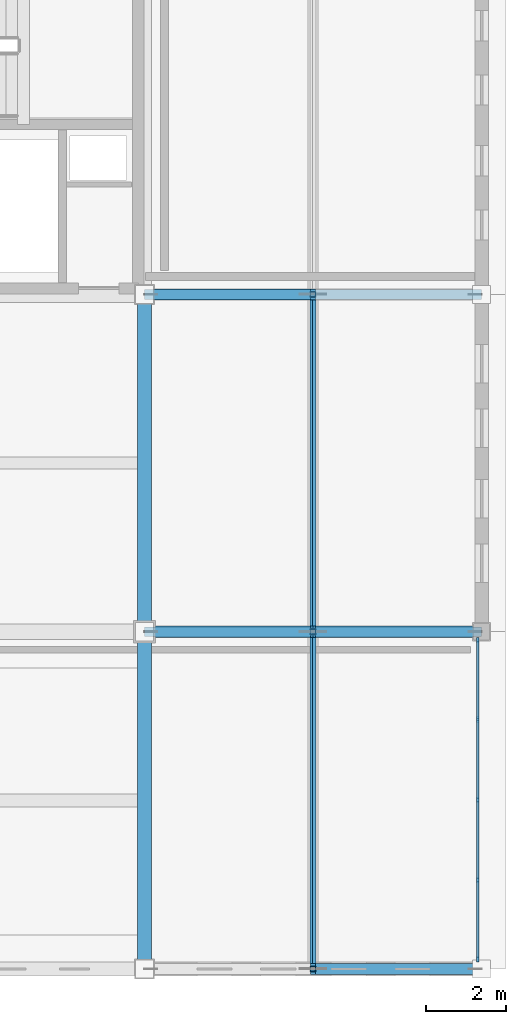
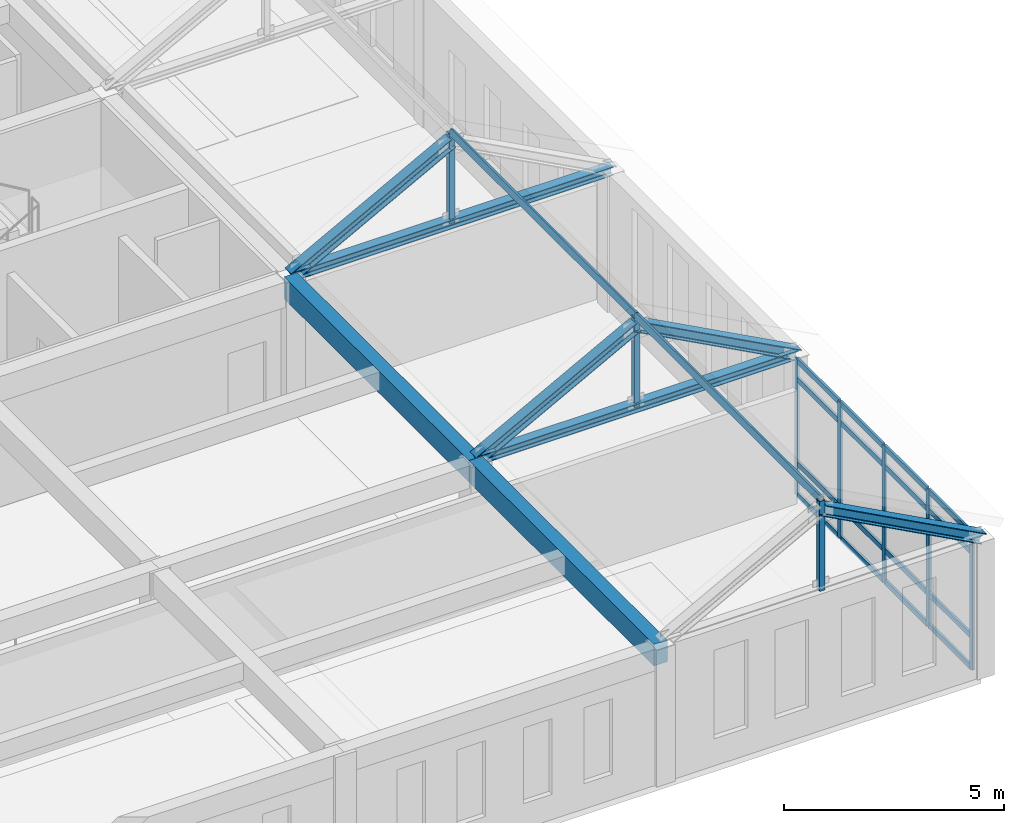
# One storey, part 6 of 36: 32 members, 2 beams, 1 element without a shape of its own.
"""IFC4 building model written with IfcOpenShell, lengths in metres."""

import ifcopenshell
import ifcopenshell.guid

model = None  # the IFC model being written
_history = None  # IfcOwnerHistory: only IFC2X3 demands one
_inside = {}  # id of a spatial element -> (the spatial element, [elements in it])
_under = {}  # id of a project, library or spatial element -> (it, [spatial elements below it])
_declared = {}  # id of a project -> (the project, [libraries it declares])
_typed = {}  # id of a type object -> (the type object, [elements of that type])
_made_of = {}  # id of a material, layer set ... -> (it, [elements and type objects made of it])


def new_model(schema):
    """Start an empty IFC model of exactly this schema.

    Asked for "IFC4X3", IfcOpenShell would pick the latest addendum, in which some entities
    have other attributes; the version numbers below select the first issue.
    IFC2X3 requires an IfcOwnerHistory on every rooted entity: one is made here for all.
    """
    global model, _history
    if schema == "IFC4X3":
        model = ifcopenshell.file(schema_version=(4, 3, 0, 0))
    else:
        model = ifcopenshell.file(schema=schema)
    _inside.clear()
    _under.clear()
    _declared.clear()
    _typed.clear()
    _made_of.clear()
    _history = None
    if model.schema == "IFC2X3":
        org = make("IfcOrganization", Name="unknown")
        user = make(
            "IfcPersonAndOrganization",
            ThePerson=make("IfcPerson", FamilyName="unknown"),
            TheOrganization=org,
        )
        app = make(
            "IfcApplication",
            ApplicationDeveloper=org,
            Version="unknown",
            ApplicationFullName="unknown",
            ApplicationIdentifier="unknown",
        )
        _history = make(
            "IfcOwnerHistory",
            OwningUser=user,
            OwningApplication=app,
            ChangeAction="ADDED",
            CreationDate=0,
        )
    return model


def make(cls, **values):
    """One entity of the class cls with the attributes given. An attribute that is None is left unset."""
    return model.create_entity(
        cls, **{name: value for name, value in values.items() if value is not None}
    )


def rooted(cls, **values):
    """An entity with a GlobalId (a new one), such as an element, a storey or a relation."""
    return make(cls, GlobalId=ifcopenshell.guid.new(), OwnerHistory=_history, **values)


def si_unit(unit_type, name, prefix=None):
    """IfcSIUnit, for example si_unit("LENGTHUNIT", "METRE", prefix="MILLI")."""
    return make("IfcSIUnit", UnitType=unit_type, Prefix=prefix, Name=name)


def assignment(units):
    """IfcUnitAssignment: the units of a project."""
    return None if units is None else make("IfcUnitAssignment", Units=units)


def point(xyz):
    """IfcCartesianPoint."""
    return None if xyz is None else make("IfcCartesianPoint", Coordinates=xyz)


def direction(xyz):
    """IfcDirection."""
    return None if xyz is None else make("IfcDirection", DirectionRatios=xyz)


def frame(location, z_axis=None, x_axis=None):
    """IfcAxis2Placement3D, a coordinate frame: its origin and axes. An axis left out is left unset."""
    return make(
        "IfcAxis2Placement3D",
        Location=point(location),
        Axis=direction(z_axis),
        RefDirection=direction(x_axis),
    )


def frame_2d(location, x_axis=None):
    """IfcAxis2Placement2D, a coordinate frame in the plane: its origin and x axis."""
    return make(
        "IfcAxis2Placement2D", Location=point(location), RefDirection=direction(x_axis)
    )


def origin():
    """The frame at (0, 0, 0) with its axes left unset."""
    return frame((0.0, 0.0, 0.0))


def origin_2d():
    """The frame at (0, 0) in the plane with its x axis left unset."""
    return frame_2d((0.0, 0.0))


def place(relative_to, where):
    """IfcLocalPlacement: puts the frame where relative to a parent placement (None: the world)."""
    return make(
        "IfcLocalPlacement", PlacementRelTo=relative_to, RelativePlacement=where
    )


def context(
    kind, dimensions, precision=None, world=None, true_north=None, identifier=None
):
    """IfcGeometricRepresentationContext, for example the 3D "Model" context."""
    return make(
        "IfcGeometricRepresentationContext",
        ContextIdentifier=identifier,
        ContextType=kind,
        CoordinateSpaceDimension=dimensions,
        Precision=precision,
        WorldCoordinateSystem=world,
        TrueNorth=true_north,
    )


def subcontext(parent, identifier, kind, view, scale=None):
    """IfcGeometricRepresentationSubContext, for example "Body" below "Model"."""
    return make(
        "IfcGeometricRepresentationSubContext",
        ContextIdentifier=identifier,
        ContextType=kind,
        ParentContext=parent,
        TargetScale=scale,
        TargetView=view,
    )


def project(units=None, contexts=None):
    """IfcProject with its units and contexts."""
    return rooted(
        "IfcProject",
        Name="project",
        RepresentationContexts=contexts,
        UnitsInContext=assignment(units),
    )


def spatial(cls, under=None, at=None, **own):
    """A site, building, storey or space (cls), placed at a placement, below another one or the project."""
    s = rooted(cls, ObjectPlacement=at, **own)
    if under is not None:
        _under.setdefault(under.id(), (under, []))[1].append(s)
    return s


def profile(cls, at=None, kind="AREA", **sizes):
    """A parametric profile (cls). Its sizes go by their IFC names, for example OverallWidth=200.0."""
    return make(cls, ProfileType=kind, Position=at, **sizes)


def rectangle(**sizes):
    """IfcRectangleProfileDef."""
    return profile("IfcRectangleProfileDef", **sizes)


def hollow_rectangle(**sizes):
    """IfcRectangleHollowProfileDef."""
    return profile("IfcRectangleHollowProfileDef", **sizes)


def i_section(**sizes):
    """IfcIShapeProfileDef."""
    return profile("IfcIShapeProfileDef", **sizes)


def extrude(swept, where, along, depth):
    """IfcExtrudedAreaSolid: the profile swept, set in the frame where, extruded along a direction by depth."""
    return make(
        "IfcExtrudedAreaSolid",
        SweptArea=swept,
        Position=where,
        ExtrudedDirection=direction(along),
        Depth=depth,
    )


def shape(context_of_items, identifier, shape_type, items):
    """IfcShapeRepresentation: the items that make up one representation, for example the "Body"."""
    return make(
        "IfcShapeRepresentation",
        ContextOfItems=context_of_items,
        RepresentationIdentifier=identifier,
        RepresentationType=shape_type,
        Items=items,
    )


def material(Name=None, Category=None):
    """IfcMaterial."""
    return make("IfcMaterial", Name=Name, Category=Category)


def layer(
    of_material, thickness, ventilated=None, Name=None, Category=None, Priority=None
):
    """IfcMaterialLayer: one layer of a wall or slab, of a material (None: an air gap)."""
    return make(
        "IfcMaterialLayer",
        Material=of_material,
        LayerThickness=thickness,
        IsVentilated=ventilated,
        Name=Name,
        Category=Category,
        Priority=Priority,
    )


def layer_set(layers, Name=None):
    """IfcMaterialLayerSet."""
    return make("IfcMaterialLayerSet", MaterialLayers=layers, LayerSetName=Name)


def material_profile(
    of_material, cross_section, Name=None, Category=None, Priority=None
):
    """IfcMaterialProfile: a cross section and its material."""
    return make(
        "IfcMaterialProfile",
        Name=Name,
        Material=of_material,
        Profile=cross_section,
        Priority=Priority,
        Category=Category,
    )


def profile_set(profiles, Name=None, composite=None):
    """IfcMaterialProfileSet."""
    return make(
        "IfcMaterialProfileSet",
        Name=Name,
        MaterialProfiles=profiles,
        CompositeProfile=composite,
    )


def made_of(thing, what):
    """Note that an element or type object is made of a material, layer set ...; save() writes the relation."""
    if what is not None:
        _made_of.setdefault(what.id(), (what, []))[1].append(thing)
    return thing


def type_object(cls, material=None, **own):
    """A type object (cls), such as IfcWallType, which elements share."""
    return made_of(rooted(cls, **own), material)


def element(
    cls,
    number,
    at=None,
    inside=None,
    cuts=None,
    type_object=None,
    material=None,
    context=None,
    identifier="Body",
    shape_type=None,
    held_by="IfcProductDefinitionShape",
    body=None,
    shapes=None,
    **own,
):
    """One element of the class cls, such as IfcWall. Its Tag is "e" and its number.

    at: its placement. inside: the storey or other place that contains it. cuts: it is an
    opening in that element (IfcRelVoidsElement). A single representation is given by context,
    identifier, shape_type and body (its items); several are given by shapes. held_by: the class
    of the entity that holds the representations. save() writes the other relations.
    """
    e = rooted(cls, Tag="e%d" % number, ObjectPlacement=at, **own)
    if body is not None:
        shapes = [shape(context, identifier, shape_type, body)]
    if shapes is not None:
        e.Representation = make(held_by, Representations=shapes)
    if inside is not None:
        _inside.setdefault(inside.id(), (inside, []))[1].append(e)
    if cuts is not None:
        rooted(
            "IfcRelVoidsElement", RelatingBuildingElement=cuts, RelatedOpeningElement=e
        )
    if type_object is not None:
        _typed.setdefault(type_object.id(), (type_object, []))[1].append(e)
    return made_of(e, material)


def aggregate(whole, parts):
    """IfcRelAggregates: a whole, such as a stair, and the parts it consists of."""
    return rooted("IfcRelAggregates", RelatingObject=whole, RelatedObjects=parts)


def save(model, path):
    """Write the relations noted so far, then the file.

    IfcRelAggregates (storeys below a building ...), IfcRelContainedInSpatialStructure (elements
    in a storey), IfcRelDefinesByType, IfcRelAssociatesMaterial and IfcRelDeclares: one each for
    every whole, place, type object, material and project.
    """
    for whole, parts in _under.values():
        aggregate(whole, parts)
    for where, things in _inside.values():
        rooted(
            "IfcRelContainedInSpatialStructure",
            RelatedElements=things,
            RelatingStructure=where,
        )
    for kind, things in _typed.values():
        rooted("IfcRelDefinesByType", RelatedObjects=things, RelatingType=kind)
    for what, things in _made_of.values():
        rooted("IfcRelAssociatesMaterial", RelatedObjects=things, RelatingMaterial=what)
    for by, libraries in _declared.values():
        rooted("IfcRelDeclares", RelatingContext=by, RelatedDefinitions=libraries)
    model.write(path)


model = new_model("IFC4")

# Units and contexts
model_context = context("Model", 3, precision=1e-05, world=origin(), true_north=direction((0.0, 1.0)))
body_context = subcontext(model_context, "Body", "Model", "MODEL_VIEW")
ifc_project = project(units=[si_unit("LENGTHUNIT", "METRE"), si_unit("AREAUNIT", "SQUARE_METRE"), si_unit("VOLUMEUNIT", "CUBIC_METRE"), si_unit("PLANEANGLEUNIT", "RADIAN"), si_unit("MASSUNIT", "GRAM", prefix="KILO")], contexts=[model_context])

# Site, building, storey
site_placement = place(None, origin())
site = spatial("IfcSite", under=ifc_project, at=site_placement, CompositionType="ELEMENT")
building_placement = place(site_placement, origin())
building = spatial("IfcBuilding", under=site, at=building_placement, Name="Kveldsbrygga Polytechnic", CompositionType="ELEMENT")
storey_placement = place(building_placement, frame((0.0, 0.0, 22.10009765625)))
storey = spatial("IfcBuildingStorey", under=building, at=storey_placement, Name="L05", CompositionType="ELEMENT", Elevation=22.10009765625)

# Beams
ifc_material_1 = material(Name="Concrete C35/45", Category="concrete")
ifc_material_profile_1 = material_profile(ifc_material_1, rectangle(XDim=0.35009765625, YDim=0.60009765625, at=origin_2d()), Name="RC 350x600")
ifc_profile_set_1 = profile_set([ifc_material_profile_1], Name="Concrete C35/45")
beam_type = type_object("IfcBeamType", Name="BM-SPANDREL-600", PredefinedType="T_BEAM", material=ifc_profile_set_1)
beam_1_placement = place(storey_placement, frame((159.60009765625, 16.800048828125, 3.47998046875), z_axis=(0.0, 1.0, 0.0), x_axis=(-1.0, 0.0, 0.0)))
element("IfcBeam", 1, at=beam_1_placement, inside=storey, type_object=beam_type, Name="Primary Beam BMY-L05-19-02to03", PredefinedType="T_BEAM", context=body_context, shape_type="SweptSolid", body=[
    extrude(rectangle(XDim=0.35009765625, YDim=0.60009765625, at=origin_2d()), origin(), (0.0, 0.0, 1.0), 8.39990234375),
])
beam_2_placement = place(storey_placement, frame((159.60009765625, 25.199951171875, 3.47998046875), z_axis=(0.0, 1.0, 0.0), x_axis=(-1.0, 0.0, 0.0)))
element("IfcBeam", 2, at=beam_2_placement, inside=storey, type_object=beam_type, Name="Primary Beam BMY-L05-19-03to04", PredefinedType="T_BEAM", context=body_context, shape_type="SweptSolid", body=[
    extrude(rectangle(XDim=0.35009765625, YDim=0.60009765625, at=origin_2d()), origin(), (0.0, 0.0, 1.0), 8.400146484375),
])

# Curtain wall, members
ifc_material_2 = material(Name="Anodised aluminium AW-6060", Category="aluminium")
ifc_layer = layer(ifc_material_2, 0.199951171875)
ifc_layer_set = layer_set([ifc_layer], Name="Anodised aluminium AW-6060")
curtain_wall_type = type_object("IfcCurtainWallType", Name="CW-LANC-E", PredefinedType="USERDEFINED", material=ifc_layer_set)
curtain_wall_placement = place(storey_placement, origin())
curtain_wall = element("IfcCurtainWall", 3, at=curtain_wall_placement, inside=storey, type_object=curtain_wall_type, Name="Curtain Wall CW-L05-Y-20-02", ObjectType="UNITISED CURTAIN WALL", PredefinedType="USERDEFINED")
ifc_material_profile_2 = material_profile(ifc_material_2, rectangle(XDim=0.06005859375, YDim=0.139892578125, at=origin_2d()), Name="ALU 60x140")
ifc_profile_set_2 = profile_set([ifc_material_profile_2], Name="Anodised aluminium AW-6060")
member_type_1 = type_object("IfcMemberType", Name="CW-MUL-140", PredefinedType="MULLION", material=ifc_profile_set_2)
member_1_placement = place(storey_placement, frame((167.89990234375, 17.0400390625, 0.0), z_axis=(0.0, 0.0, 1.0), x_axis=(-1.0, 0.0, 0.0)))
member_1 = element("IfcMember", 4, at=member_1_placement, type_object=member_type_1, Name="CW-05 mullion 1", PredefinedType="MULLION", context=body_context, shape_type="SweptSolid", body=[
    extrude(rectangle(XDim=0.06005859375, YDim=0.139892578125, at=origin_2d()), origin(), (0.0, 0.0, 1.0), 3.77978515625),
])
member_2_placement = place(storey_placement, frame((167.89990234375, 19.01123046875, 0.0), z_axis=(0.0, 0.0, 1.0), x_axis=(-1.0, 0.0, 0.0)))
member_2 = element("IfcMember", 5, at=member_2_placement, type_object=member_type_1, Name="CW-05 mullion 2", PredefinedType="MULLION", context=body_context, shape_type="SweptSolid", body=[
    extrude(rectangle(XDim=0.06005859375, YDim=0.139892578125, at=origin_2d()), origin(), (0.0, 0.0, 1.0), 3.77978515625),
])
member_3_placement = place(storey_placement, frame((167.89990234375, 21.012451171875, 0.0), z_axis=(0.0, 0.0, 1.0), x_axis=(-1.0, 0.0, 0.0)))
member_3 = element("IfcMember", 6, at=member_3_placement, type_object=member_type_1, Name="CW-05 mullion 3", PredefinedType="MULLION", context=body_context, shape_type="SweptSolid", body=[
    extrude(rectangle(XDim=0.06005859375, YDim=0.139892578125, at=origin_2d()), origin(), (0.0, 0.0, 1.0), 3.77978515625),
])
member_4_placement = place(storey_placement, frame((167.89990234375, 23.013671875, 0.0), z_axis=(0.0, 0.0, 1.0), x_axis=(-1.0, 0.0, 0.0)))
member_4 = element("IfcMember", 7, at=member_4_placement, type_object=member_type_1, Name="CW-05 mullion 4", PredefinedType="MULLION", context=body_context, shape_type="SweptSolid", body=[
    extrude(rectangle(XDim=0.06005859375, YDim=0.139892578125, at=origin_2d()), origin(), (0.0, 0.0, 1.0), 3.77978515625),
])
member_5_placement = place(storey_placement, frame((167.89990234375, 24.985107421875, 0.0), z_axis=(0.0, 0.0, 1.0), x_axis=(-1.0, 0.0, 0.0)))
member_5 = element("IfcMember", 8, at=member_5_placement, type_object=member_type_1, Name="CW-05 mullion 5", PredefinedType="MULLION", context=body_context, shape_type="SweptSolid", body=[
    extrude(rectangle(XDim=0.06005859375, YDim=0.139892578125, at=origin_2d()), origin(), (0.0, 0.0, 1.0), 3.77978515625),
])
ifc_material_profile_3 = material_profile(ifc_material_2, rectangle(XDim=0.06005859375, YDim=0.14990234375, at=origin_2d()), Name="ALU 60x150")
ifc_profile_set_3 = profile_set([ifc_material_profile_3], Name="Anodised aluminium AW-6060")
member_type_2 = type_object("IfcMemberType", Name="CW-TRN-150", PredefinedType="USERDEFINED", material=ifc_profile_set_3)
member_6_placement = place(storey_placement, frame((167.89990234375, 17.070068359375, 0.02978515625), z_axis=(0.0, 1.0, 0.0), x_axis=(-1.0, 0.0, 0.0)))
member_6 = element("IfcMember", 9, at=member_6_placement, type_object=member_type_2, Name="CW-05 transom 1.1", ObjectType="TRANSOM", PredefinedType="USERDEFINED", context=body_context, shape_type="SweptSolid", body=[
    extrude(rectangle(XDim=0.06005859375, YDim=0.14990234375, at=origin_2d()), origin(), (0.0, 0.0, 1.0), 1.9111328125),
])
member_7_placement = place(storey_placement, frame((167.89990234375, 17.070068359375, 0.89990234375), z_axis=(0.0, 1.0, 0.0), x_axis=(-1.0, 0.0, 0.0)))
member_7 = element("IfcMember", 10, at=member_7_placement, type_object=member_type_2, Name="CW-05 transom 1.2", ObjectType="TRANSOM", PredefinedType="USERDEFINED", context=body_context, shape_type="SweptSolid", body=[
    extrude(rectangle(XDim=0.06005859375, YDim=0.14990234375, at=origin_2d()), origin(), (0.0, 0.0, 1.0), 1.9111328125),
])
member_8_placement = place(storey_placement, frame((167.89990234375, 17.070068359375, 3.22998046875), z_axis=(0.0, 1.0, 0.0), x_axis=(-1.0, 0.0, 0.0)))
member_8 = element("IfcMember", 11, at=member_8_placement, type_object=member_type_2, Name="CW-05 transom 1.3", ObjectType="TRANSOM", PredefinedType="USERDEFINED", context=body_context, shape_type="SweptSolid", body=[
    extrude(rectangle(XDim=0.06005859375, YDim=0.14990234375, at=origin_2d()), origin(), (0.0, 0.0, 1.0), 1.9111328125),
])
member_9_placement = place(storey_placement, frame((167.89990234375, 17.070068359375, 3.75), z_axis=(0.0, 1.0, 0.0), x_axis=(-1.0, 0.0, 0.0)))
member_9 = element("IfcMember", 12, at=member_9_placement, type_object=member_type_2, Name="CW-05 transom 1.4", ObjectType="TRANSOM", PredefinedType="USERDEFINED", context=body_context, shape_type="SweptSolid", body=[
    extrude(rectangle(XDim=0.06005859375, YDim=0.14990234375, at=origin_2d()), origin(), (0.0, 0.0, 1.0), 1.9111328125),
])
member_10_placement = place(storey_placement, frame((167.89990234375, 19.041259765625, 0.02978515625), z_axis=(0.0, 1.0, 0.0), x_axis=(-1.0, 0.0, 0.0)))
member_10 = element("IfcMember", 13, at=member_10_placement, type_object=member_type_2, Name="CW-05 transom 2.1", ObjectType="TRANSOM", PredefinedType="USERDEFINED", context=body_context, shape_type="SweptSolid", body=[
    extrude(rectangle(XDim=0.06005859375, YDim=0.14990234375, at=origin_2d()), origin(), (0.0, 0.0, 1.0), 1.941162109375),
])
member_11_placement = place(storey_placement, frame((167.89990234375, 19.041259765625, 0.89990234375), z_axis=(0.0, 1.0, 0.0), x_axis=(-1.0, 0.0, 0.0)))
member_11 = element("IfcMember", 14, at=member_11_placement, type_object=member_type_2, Name="CW-05 transom 2.2", ObjectType="TRANSOM", PredefinedType="USERDEFINED", context=body_context, shape_type="SweptSolid", body=[
    extrude(rectangle(XDim=0.06005859375, YDim=0.14990234375, at=origin_2d()), origin(), (0.0, 0.0, 1.0), 1.941162109375),
])
member_12_placement = place(storey_placement, frame((167.89990234375, 19.041259765625, 3.22998046875), z_axis=(0.0, 1.0, 0.0), x_axis=(-1.0, 0.0, 0.0)))
member_12 = element("IfcMember", 15, at=member_12_placement, type_object=member_type_2, Name="CW-05 transom 2.3", ObjectType="TRANSOM", PredefinedType="USERDEFINED", context=body_context, shape_type="SweptSolid", body=[
    extrude(rectangle(XDim=0.06005859375, YDim=0.14990234375, at=origin_2d()), origin(), (0.0, 0.0, 1.0), 1.941162109375),
])
member_13_placement = place(storey_placement, frame((167.89990234375, 19.041259765625, 3.75), z_axis=(0.0, 1.0, 0.0), x_axis=(-1.0, 0.0, 0.0)))
member_13 = element("IfcMember", 16, at=member_13_placement, type_object=member_type_2, Name="CW-05 transom 2.4", ObjectType="TRANSOM", PredefinedType="USERDEFINED", context=body_context, shape_type="SweptSolid", body=[
    extrude(rectangle(XDim=0.06005859375, YDim=0.14990234375, at=origin_2d()), origin(), (0.0, 0.0, 1.0), 1.941162109375),
])
member_14_placement = place(storey_placement, frame((167.89990234375, 21.04248046875, 0.02978515625), z_axis=(0.0, 1.0, 0.0), x_axis=(-1.0, 0.0, 0.0)))
member_14 = element("IfcMember", 17, at=member_14_placement, type_object=member_type_2, Name="CW-05 transom 3.1", ObjectType="TRANSOM", PredefinedType="USERDEFINED", context=body_context, shape_type="SweptSolid", body=[
    extrude(rectangle(XDim=0.06005859375, YDim=0.14990234375, at=origin_2d()), origin(), (0.0, 0.0, 1.0), 1.941162109375),
])
member_15_placement = place(storey_placement, frame((167.89990234375, 21.04248046875, 0.89990234375), z_axis=(0.0, 1.0, 0.0), x_axis=(-1.0, 0.0, 0.0)))
member_15 = element("IfcMember", 18, at=member_15_placement, type_object=member_type_2, Name="CW-05 transom 3.2", ObjectType="TRANSOM", PredefinedType="USERDEFINED", context=body_context, shape_type="SweptSolid", body=[
    extrude(rectangle(XDim=0.06005859375, YDim=0.14990234375, at=origin_2d()), origin(), (0.0, 0.0, 1.0), 1.941162109375),
])
member_16_placement = place(storey_placement, frame((167.89990234375, 21.04248046875, 3.22998046875), z_axis=(0.0, 1.0, 0.0), x_axis=(-1.0, 0.0, 0.0)))
member_16 = element("IfcMember", 19, at=member_16_placement, type_object=member_type_2, Name="CW-05 transom 3.3", ObjectType="TRANSOM", PredefinedType="USERDEFINED", context=body_context, shape_type="SweptSolid", body=[
    extrude(rectangle(XDim=0.06005859375, YDim=0.14990234375, at=origin_2d()), origin(), (0.0, 0.0, 1.0), 1.941162109375),
])
member_17_placement = place(storey_placement, frame((167.89990234375, 21.04248046875, 3.75), z_axis=(0.0, 1.0, 0.0), x_axis=(-1.0, 0.0, 0.0)))
member_17 = element("IfcMember", 20, at=member_17_placement, type_object=member_type_2, Name="CW-05 transom 3.4", ObjectType="TRANSOM", PredefinedType="USERDEFINED", context=body_context, shape_type="SweptSolid", body=[
    extrude(rectangle(XDim=0.06005859375, YDim=0.14990234375, at=origin_2d()), origin(), (0.0, 0.0, 1.0), 1.941162109375),
])
member_18_placement = place(storey_placement, frame((167.89990234375, 23.043701171875, 0.02978515625), z_axis=(0.0, 1.0, 0.0), x_axis=(-1.0, 0.0, 0.0)))
member_18 = element("IfcMember", 21, at=member_18_placement, type_object=member_type_2, Name="CW-05 transom 4.1", ObjectType="TRANSOM", PredefinedType="USERDEFINED", context=body_context, shape_type="SweptSolid", body=[
    extrude(rectangle(XDim=0.06005859375, YDim=0.14990234375, at=origin_2d()), origin(), (0.0, 0.0, 1.0), 1.911376953125),
])
member_19_placement = place(storey_placement, frame((167.89990234375, 23.043701171875, 0.89990234375), z_axis=(0.0, 1.0, 0.0), x_axis=(-1.0, 0.0, 0.0)))
member_19 = element("IfcMember", 22, at=member_19_placement, type_object=member_type_2, Name="CW-05 transom 4.2", ObjectType="TRANSOM", PredefinedType="USERDEFINED", context=body_context, shape_type="SweptSolid", body=[
    extrude(rectangle(XDim=0.06005859375, YDim=0.14990234375, at=origin_2d()), origin(), (0.0, 0.0, 1.0), 1.911376953125),
])
member_20_placement = place(storey_placement, frame((167.89990234375, 23.043701171875, 3.22998046875), z_axis=(0.0, 1.0, 0.0), x_axis=(-1.0, 0.0, 0.0)))
member_20 = element("IfcMember", 23, at=member_20_placement, type_object=member_type_2, Name="CW-05 transom 4.3", ObjectType="TRANSOM", PredefinedType="USERDEFINED", context=body_context, shape_type="SweptSolid", body=[
    extrude(rectangle(XDim=0.06005859375, YDim=0.14990234375, at=origin_2d()), origin(), (0.0, 0.0, 1.0), 1.911376953125),
])
member_21_placement = place(storey_placement, frame((167.89990234375, 23.043701171875, 3.75), z_axis=(0.0, 1.0, 0.0), x_axis=(-1.0, 0.0, 0.0)))
member_21 = element("IfcMember", 24, at=member_21_placement, type_object=member_type_2, Name="CW-05 transom 4.4", ObjectType="TRANSOM", PredefinedType="USERDEFINED", context=body_context, shape_type="SweptSolid", body=[
    extrude(rectangle(XDim=0.06005859375, YDim=0.14990234375, at=origin_2d()), origin(), (0.0, 0.0, 1.0), 1.911376953125),
])
aggregate(curtain_wall, [member_1, member_2, member_3, member_4, member_5, member_6, member_7, member_8, member_9, member_10, member_11, member_12, member_13, member_14, member_15, member_16, member_17, member_18, member_19, member_20, member_21])

# Members
ifc_material_3 = material(Name="Steel S355", Category="steel")
ifc_material_profile_4 = material_profile(ifc_material_3, hollow_rectangle(XDim=0.10009765625, YDim=0.14990234375, WallThickness=0.008056640625, at=origin_2d()), Name="RHS 150x100x8.0")
ifc_profile_set_4 = profile_set([ifc_material_profile_4], Name="Steel S355")
member_type_3 = type_object("IfcMemberType", Name="PRL-RHS150", PredefinedType="PURLIN", material=ifc_profile_set_4)
member_22_placement = place(storey_placement, frame((163.800048828125, 16.800048828125, 6.27392578125), z_axis=(0.0, 1.0, 0.0), x_axis=(-0.881479888517, 0.0, 0.472221564671)))
element("IfcMember", 25, at=member_22_placement, inside=storey, type_object=member_type_3, Name="Roof Purlin V4E6-PRL-1-1", PredefinedType="PURLIN", context=body_context, shape_type="SweptSolid", body=[
    extrude(hollow_rectangle(XDim=0.10009765625, YDim=0.14990234375, WallThickness=0.008056640625, at=origin_2d()), origin(), (0.0, 0.0, 1.0), 8.39990234375),
])
member_23_placement = place(storey_placement, frame((163.800048828125, 25.199951171875, 6.27392578125), z_axis=(0.0, 1.0, 0.0), x_axis=(-0.881479888517, 0.0, 0.472221564671)))
element("IfcMember", 26, at=member_23_placement, inside=storey, type_object=member_type_3, Name="Roof Purlin V4E6-PRL-2-1", PredefinedType="PURLIN", context=body_context, shape_type="SweptSolid", body=[
    extrude(hollow_rectangle(XDim=0.10009765625, YDim=0.14990234375, WallThickness=0.008056640625, at=origin_2d()), origin(), (0.0, 0.0, 1.0), 8.400146484375),
])
ifc_material_profile_5 = material_profile(ifc_material_3, i_section(OverallWidth=0.239990234375, OverallDepth=0.239990234375, WebThickness=0.010009765625, FlangeThickness=0.01708984375, FilletRadius=0.02099609375, at=origin_2d()), Name="HEB 240")
ifc_profile_set_5 = profile_set([ifc_material_profile_5], Name="Steel S355")
member_type_4 = type_object("IfcMemberType", Name="TR-BOT-HEB240", PredefinedType="CHORD", material=ifc_profile_set_5)
for number, where, z_axis, x_axis, name in (
    (27, (159.60009765625, 25.199951171875, 3.77978515625), (1.0, 0.0, 0.0), (0.0, 1.0, 0.0), "Truss Bottom Chord V4E6-T02-BC-1"),
    (28, (159.60009765625, 33.60009765625, 3.77978515625), (1.0, 0.0, 0.0), (0.0, 1.0, 0.0), "Truss Bottom Chord V4E6-T03-BC-1"),
):
    element("IfcMember", number, at=place(storey_placement, frame(where, z_axis=z_axis, x_axis=x_axis)), inside=storey, type_object=member_type_4, Name=name, PredefinedType="CHORD", context=body_context, shape_type="SweptSolid", body=[
        extrude(i_section(OverallWidth=0.239990234375, OverallDepth=0.239990234375, WebThickness=0.010009765625, FlangeThickness=0.01708984375, FilletRadius=0.02099609375, at=origin_2d()), origin(), (0.0, 0.0, 1.0), 8.39990234375),
    ])
ifc_material_profile_6 = material_profile(ifc_material_3, hollow_rectangle(XDim=0.139892578125, YDim=0.139892578125, WallThickness=0.008056640625, at=origin_2d()), Name="SHS 140x140x8.0")
ifc_profile_set_6 = profile_set([ifc_material_profile_6], Name="Steel S355")
member_type_5 = type_object("IfcMemberType", Name="TR-POST-SHS140", PredefinedType="STRUT", material=ifc_profile_set_6)
for number, where, z_axis, x_axis, name in (
    (29, (163.800048828125, 16.800048828125, 3.77978515625), (0.0, 0.0, 1.0), (1.0, 0.0, 0.0), "Truss Vertical V4E6-T01-VT-1"),
    (30, (163.800048828125, 25.199951171875, 3.77978515625), (0.0, 0.0, 1.0), (1.0, 0.0, 0.0), "Truss Vertical V4E6-T02-VT-1"),
    (31, (163.800048828125, 33.60009765625, 3.77978515625), (0.0, 0.0, 1.0), (1.0, 0.0, 0.0), "Truss Vertical V4E6-T03-VT-1"),
):
    element("IfcMember", number, at=place(storey_placement, frame(where, z_axis=z_axis, x_axis=x_axis)), inside=storey, type_object=member_type_5, Name=name, PredefinedType="STRUT", context=body_context, shape_type="SweptSolid", body=[
        extrude(hollow_rectangle(XDim=0.139892578125, YDim=0.139892578125, WallThickness=0.008056640625, at=origin_2d()), origin(), (0.0, 0.0, 1.0), 2.494140625),
    ])
ifc_material_profile_7 = material_profile(ifc_material_3, i_section(OverallWidth=0.280029296875, OverallDepth=0.280029296875, WebThickness=0.010498046875, FlangeThickness=0.01806640625, FilletRadius=0.02392578125, at=origin_2d()), Name="HEB 280")
ifc_profile_set_7 = profile_set([ifc_material_profile_7], Name="Steel S355")
member_type_6 = type_object("IfcMemberType", Name="TR-TOP-HEB280", PredefinedType="CHORD", material=ifc_profile_set_7)
for number, where, z_axis, x_axis, name in (
    (32, (163.800048828125, 16.800048828125, 6.02978515625), (0.881477684796, 0.0, -0.472225678258), (0.0, 1.0, 0.0), "Truss Top Chord V4E6-T01-TC-2"),
    (33, (159.60009765625, 25.199951171875, 3.77978515625), (0.881477684796, 0.0, 0.472225678258), (0.0, 1.0, 0.0), "Truss Top Chord V4E6-T02-TC-1"),
    (34, (163.800048828125, 25.199951171875, 6.02978515625), (0.881477684796, 0.0, -0.472225678258), (0.0, 1.0, 0.0), "Truss Top Chord V4E6-T02-TC-2"),
    (35, (159.60009765625, 33.60009765625, 3.77978515625), (0.881477684796, 0.0, 0.472225678258), (0.0, 1.0, 0.0), "Truss Top Chord V4E6-T03-TC-1"),
):
    element("IfcMember", number, at=place(storey_placement, frame(where, z_axis=z_axis, x_axis=x_axis)), inside=storey, type_object=member_type_6, Name=name, PredefinedType="CHORD", context=body_context, shape_type="SweptSolid", body=[
        extrude(i_section(OverallWidth=0.280029296875, OverallDepth=0.280029296875, WebThickness=0.010498046875, FlangeThickness=0.01806640625, FilletRadius=0.02392578125, at=origin_2d()), origin(), (0.0, 0.0, 1.0), 4.7646484375),
    ])

save(model, "model.ifc")
